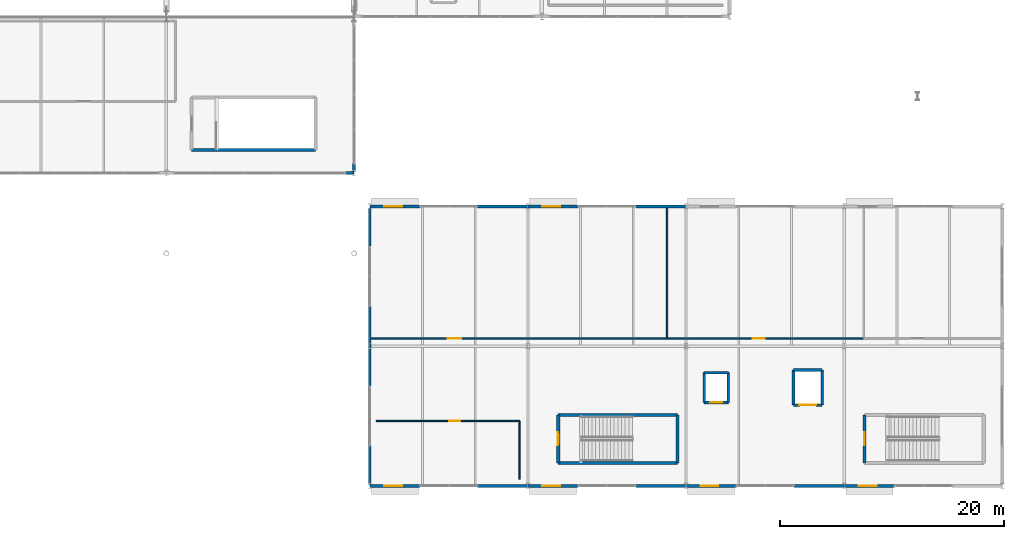
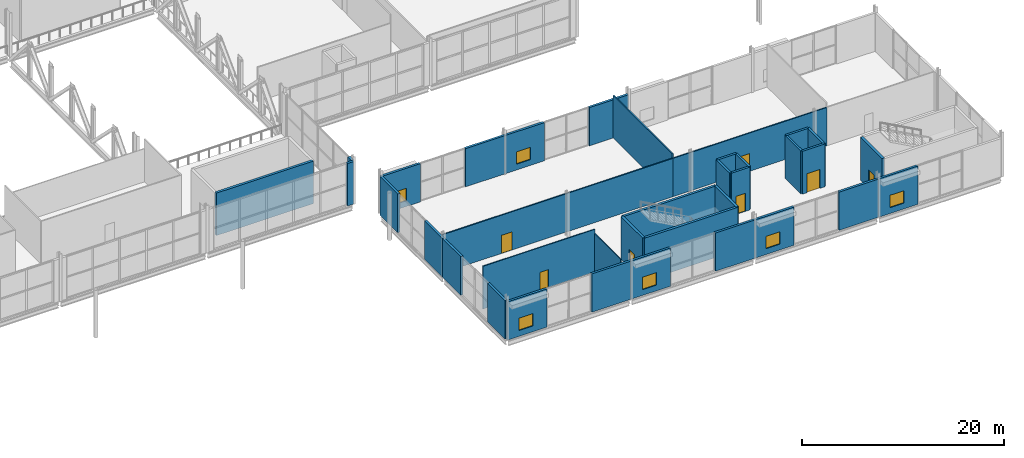
# One storey, part 65 of 84: 36 walls, 7 doors, 6 windows, 13 openings.
"""IFC4 building model written with IfcOpenShell, lengths in metres."""

from ifc_helpers import new_model, si_unit, direction, frame, frame_2d, origin, place, context, subcontext, project, spatial, rectangle, extrude, material, layer, layer_set, type_object, element, fill, save


model = new_model("IFC4")

# Units and contexts
model_context = context("Model", 3, precision=1e-05, world=origin(), true_north=direction((0.0, 1.0)))
body_context = subcontext(model_context, "Body", "Model", "MODEL_VIEW")
ifc_project = project(units=[si_unit("LENGTHUNIT", "METRE"), si_unit("AREAUNIT", "SQUARE_METRE"), si_unit("VOLUMEUNIT", "CUBIC_METRE"), si_unit("PLANEANGLEUNIT", "RADIAN"), si_unit("MASSUNIT", "GRAM", prefix="KILO")], contexts=[model_context])

# Site, building, storey
site_placement = place(None, origin())
site = spatial("IfcSite", under=ifc_project, at=site_placement, CompositionType="ELEMENT")
building_placement = place(site_placement, origin())
building = spatial("IfcBuilding", under=site, at=building_placement, Name="Kimbaza Rail Terminus", CompositionType="ELEMENT")
storey_placement = place(building_placement, frame((0.0, 0.0, 5.39990234375)))
storey = spatial("IfcBuildingStorey", under=building, at=storey_placement, Name="L01", CompositionType="ELEMENT", Elevation=5.39990234375)

# Wall, opening, window
ifc_material_1 = material(Name="Concrete blockwork C30/37", Category="masonry")
ifc_layer_1 = layer(ifc_material_1, 0.260009765625)
ifc_layer_set_1 = layer_set([ifc_layer_1], Name="Concrete blockwork C30/37")
wall_type_1 = type_object("IfcWallType", Name="ARC-WL-EXT260", PredefinedType="STANDARD", material=ifc_layer_set_1)
wall_1_placement = place(storey_placement, frame((157.39990234375, 38.0, 0.0), z_axis=(0.0, 0.0, 1.0), x_axis=(1.0, 0.0, 0.0)))
wall_1 = element("IfcWall", 1, at=wall_1_placement, inside=storey, type_object=wall_type_1, Name="Pavilion N Wall L01.0A", PredefinedType="STANDARD", context=body_context, shape_type="SweptSolid", body=[
    extrude(rectangle(XDim=4.5, YDim=0.260009765625, at=frame_2d((2.25, 0.0))), origin(), (0.0, 0.0, 1.0), 4.625),
])
opening_1_placement = place(wall_1_placement, frame((1.300048828125, 0.0, 0.699951171875)))
opening_1 = element("IfcOpeningElement", 2, at=opening_1_placement, cuts=wall_1, Name="Opening W-18", PredefinedType="OPENING", context=body_context, shape_type="SweptSolid", body=[
    extrude(rectangle(XDim=1.60009765625, YDim=1.5, at=frame_2d((0.800048828125, 0.75))), frame((0.0, 0.139892578125, 0.0), z_axis=(0.0, -1.0, 0.0), x_axis=(1.0, 0.0, 0.0)), (0.0, 0.0, 1.0), 0.280029296875),
])
ifc_material_2 = material(Name="Thermally broken aluminium and solar low-E glass", Category="aluminium")
window_type = type_object("IfcWindowType", Name="ARC-WIN-W-18", PartitioningType="SINGLE_PANEL", PredefinedType="WINDOW", material=ifc_material_2)
window_1_placement = place(opening_1_placement, origin())
window_1 = element("IfcWindow", 3, at=window_1_placement, inside=storey, type_object=window_type, Name="Pavilion Window L01.1", OverallHeight=1.5, OverallWidth=1.60009765625, PartitioningType="SINGLE_PANEL", PredefinedType="WINDOW", context=body_context, shape_type="SweptSolid", body=[
    extrude(rectangle(XDim=1.60009765625, YDim=1.5, at=frame_2d((0.800048828125, 0.75))), frame((0.0, 0.030029296875, 0.0), z_axis=(0.0, -1.0, 0.0), x_axis=(1.0, 0.0, 0.0)), (0.0, 0.0, 1.0), 0.06005859375),
])
fill(opening_1, window_1)

# Wall
wall_2_placement = place(storey_placement, frame((167.050048828125, 38.0, 0.0), z_axis=(0.0, 0.0, 1.0), x_axis=(1.0, 0.0, 0.0)))
element("IfcWall", 4, at=wall_2_placement, inside=storey, type_object=wall_type_1, Name="Pavilion N Wall L01.0B", PredefinedType="STANDARD", context=body_context, shape_type="SweptSolid", body=[
    extrude(rectangle(XDim=4.5, YDim=0.260009765625, at=frame_2d((2.25, 0.0))), origin(), (0.0, 0.0, 1.0), 4.625),
])

# Wall, opening, window
wall_3_placement = place(storey_placement, frame((171.550048828125, 38.0, 0.0), z_axis=(0.0, 0.0, 1.0), x_axis=(1.0, 0.0, 0.0)))
wall_3 = element("IfcWall", 5, at=wall_3_placement, inside=storey, type_object=wall_type_1, Name="Pavilion N Wall L01.1A", PredefinedType="STANDARD", context=body_context, shape_type="SweptSolid", body=[
    extrude(rectangle(XDim=4.5, YDim=0.260009765625, at=frame_2d((2.25, 0.0))), origin(), (0.0, 0.0, 1.0), 4.625),
])
opening_2_placement = place(wall_3_placement, frame((1.300048828125, 0.0, 0.699951171875)))
opening_2 = element("IfcOpeningElement", 6, at=opening_2_placement, cuts=wall_3, Name="Opening W-18", PredefinedType="OPENING", context=body_context, shape_type="SweptSolid", body=[
    extrude(rectangle(XDim=1.60009765625, YDim=1.5, at=frame_2d((0.800048828125, 0.75))), frame((0.0, 0.139892578125, 0.0), z_axis=(0.0, -1.0, 0.0), x_axis=(1.0, 0.0, 0.0)), (0.0, 0.0, 1.0), 0.280029296875),
])
window_2_placement = place(opening_2_placement, origin())
window_2 = element("IfcWindow", 7, at=window_2_placement, inside=storey, type_object=window_type, Name="Pavilion Window L01.2", OverallHeight=1.5, OverallWidth=1.60009765625, PartitioningType="SINGLE_PANEL", PredefinedType="WINDOW", context=body_context, shape_type="SweptSolid", body=[
    extrude(rectangle(XDim=1.60009765625, YDim=1.5, at=frame_2d((0.800048828125, 0.75))), frame((0.0, 0.030029296875, 0.0), z_axis=(0.0, -1.0, 0.0), x_axis=(1.0, 0.0, 0.0)), (0.0, 0.0, 1.0), 0.06005859375),
])
fill(opening_2, window_2)

# Wall
wall_4_placement = place(storey_placement, frame((181.199951171875, 38.0, 0.0), z_axis=(0.0, 0.0, 1.0), x_axis=(1.0, 0.0, 0.0)))
element("IfcWall", 8, at=wall_4_placement, inside=storey, type_object=wall_type_1, Name="Pavilion N Wall L01.1B", PredefinedType="STANDARD", context=body_context, shape_type="SweptSolid", body=[
    extrude(rectangle(XDim=4.5, YDim=0.260009765625, at=frame_2d((2.25, 0.0))), origin(), (0.0, 0.0, 1.0), 4.625),
])

# Wall, opening, window
wall_5_placement = place(storey_placement, frame((157.39990234375, 13.0, 0.0), z_axis=(0.0, 0.0, 1.0), x_axis=(1.0, 0.0, 0.0)))
wall_5 = element("IfcWall", 9, at=wall_5_placement, inside=storey, type_object=wall_type_1, Name="Pavilion S Wall L01.0A", PredefinedType="STANDARD", context=body_context, shape_type="SweptSolid", body=[
    extrude(rectangle(XDim=4.5, YDim=0.260009765625, at=frame_2d((2.25, 0.0))), origin(), (0.0, 0.0, 1.0), 4.625),
])
opening_3_placement = place(wall_5_placement, frame((1.300048828125, 0.0, 0.699951171875)))
opening_3 = element("IfcOpeningElement", 10, at=opening_3_placement, cuts=wall_5, Name="Opening W-18", PredefinedType="OPENING", context=body_context, shape_type="SweptSolid", body=[
    extrude(rectangle(XDim=1.60009765625, YDim=1.5, at=frame_2d((0.800048828125, 0.75))), frame((0.0, 0.139892578125, 0.0), z_axis=(0.0, -1.0, 0.0), x_axis=(1.0, 0.0, 0.0)), (0.0, 0.0, 1.0), 0.280029296875),
])
window_3_placement = place(opening_3_placement, origin())
window_3 = element("IfcWindow", 11, at=window_3_placement, inside=storey, type_object=window_type, Name="Pavilion Window L01.1", OverallHeight=1.5, OverallWidth=1.60009765625, PartitioningType="SINGLE_PANEL", PredefinedType="WINDOW", context=body_context, shape_type="SweptSolid", body=[
    extrude(rectangle(XDim=1.60009765625, YDim=1.5, at=frame_2d((0.800048828125, 0.75))), frame((0.0, 0.030029296875, 0.0), z_axis=(0.0, -1.0, 0.0), x_axis=(1.0, 0.0, 0.0)), (0.0, 0.0, 1.0), 0.06005859375),
])
fill(opening_3, window_3)

# Wall
wall_6_placement = place(storey_placement, frame((167.050048828125, 13.0, 0.0), z_axis=(0.0, 0.0, 1.0), x_axis=(1.0, 0.0, 0.0)))
element("IfcWall", 12, at=wall_6_placement, inside=storey, type_object=wall_type_1, Name="Pavilion S Wall L01.0B", PredefinedType="STANDARD", context=body_context, shape_type="SweptSolid", body=[
    extrude(rectangle(XDim=4.5, YDim=0.260009765625, at=frame_2d((2.25, 0.0))), origin(), (0.0, 0.0, 1.0), 4.625),
])

# Wall, opening, window
wall_7_placement = place(storey_placement, frame((171.550048828125, 13.0, 0.0), z_axis=(0.0, 0.0, 1.0), x_axis=(1.0, 0.0, 0.0)))
wall_7 = element("IfcWall", 13, at=wall_7_placement, inside=storey, type_object=wall_type_1, Name="Pavilion S Wall L01.1A", PredefinedType="STANDARD", context=body_context, shape_type="SweptSolid", body=[
    extrude(rectangle(XDim=4.5, YDim=0.260009765625, at=frame_2d((2.25, 0.0))), origin(), (0.0, 0.0, 1.0), 4.625),
])
opening_4_placement = place(wall_7_placement, frame((1.300048828125, 0.0, 0.699951171875)))
opening_4 = element("IfcOpeningElement", 14, at=opening_4_placement, cuts=wall_7, Name="Opening W-18", PredefinedType="OPENING", context=body_context, shape_type="SweptSolid", body=[
    extrude(rectangle(XDim=1.60009765625, YDim=1.5, at=frame_2d((0.800048828125, 0.75))), frame((0.0, 0.139892578125, 0.0), z_axis=(0.0, -1.0, 0.0), x_axis=(1.0, 0.0, 0.0)), (0.0, 0.0, 1.0), 0.280029296875),
])
window_4_placement = place(opening_4_placement, origin())
window_4 = element("IfcWindow", 15, at=window_4_placement, inside=storey, type_object=window_type, Name="Pavilion Window L01.2", OverallHeight=1.5, OverallWidth=1.60009765625, PartitioningType="SINGLE_PANEL", PredefinedType="WINDOW", context=body_context, shape_type="SweptSolid", body=[
    extrude(rectangle(XDim=1.60009765625, YDim=1.5, at=frame_2d((0.800048828125, 0.75))), frame((0.0, 0.030029296875, 0.0), z_axis=(0.0, -1.0, 0.0), x_axis=(1.0, 0.0, 0.0)), (0.0, 0.0, 1.0), 0.06005859375),
])
fill(opening_4, window_4)

# Wall
wall_8_placement = place(storey_placement, frame((181.199951171875, 13.0, 0.0), z_axis=(0.0, 0.0, 1.0), x_axis=(1.0, 0.0, 0.0)))
element("IfcWall", 16, at=wall_8_placement, inside=storey, type_object=wall_type_1, Name="Pavilion S Wall L01.1B", PredefinedType="STANDARD", context=body_context, shape_type="SweptSolid", body=[
    extrude(rectangle(XDim=4.5, YDim=0.260009765625, at=frame_2d((2.25, 0.0))), origin(), (0.0, 0.0, 1.0), 4.625),
])

# Wall, opening, window
wall_9_placement = place(storey_placement, frame((185.699951171875, 13.0, 0.0), z_axis=(0.0, 0.0, 1.0), x_axis=(1.0, 0.0, 0.0)))
wall_9 = element("IfcWall", 17, at=wall_9_placement, inside=storey, type_object=wall_type_1, Name="Pavilion S Wall L01.2A", PredefinedType="STANDARD", context=body_context, shape_type="SweptSolid", body=[
    extrude(rectangle(XDim=4.5, YDim=0.260009765625, at=frame_2d((2.25, 0.0))), origin(), (0.0, 0.0, 1.0), 4.625),
])
opening_5_placement = place(wall_9_placement, frame((1.300048828125, 0.0, 0.699951171875)))
opening_5 = element("IfcOpeningElement", 18, at=opening_5_placement, cuts=wall_9, Name="Opening W-18", PredefinedType="OPENING", context=body_context, shape_type="SweptSolid", body=[
    extrude(rectangle(XDim=1.60009765625, YDim=1.5, at=frame_2d((0.800048828125, 0.75))), frame((0.0, 0.139892578125, 0.0), z_axis=(0.0, -1.0, 0.0), x_axis=(1.0, 0.0, 0.0)), (0.0, 0.0, 1.0), 0.280029296875),
])
window_5_placement = place(opening_5_placement, origin())
window_5 = element("IfcWindow", 19, at=window_5_placement, inside=storey, type_object=window_type, Name="Pavilion Window L01.3", OverallHeight=1.5, OverallWidth=1.60009765625, PartitioningType="SINGLE_PANEL", PredefinedType="WINDOW", context=body_context, shape_type="SweptSolid", body=[
    extrude(rectangle(XDim=1.60009765625, YDim=1.5, at=frame_2d((0.800048828125, 0.75))), frame((0.0, 0.030029296875, 0.0), z_axis=(0.0, -1.0, 0.0), x_axis=(1.0, 0.0, 0.0)), (0.0, 0.0, 1.0), 0.06005859375),
])
fill(opening_5, window_5)

# Wall
wall_10_placement = place(storey_placement, frame((195.35009765625, 13.0, 0.0), z_axis=(0.0, 0.0, 1.0), x_axis=(1.0, 0.0, 0.0)))
element("IfcWall", 20, at=wall_10_placement, inside=storey, type_object=wall_type_1, Name="Pavilion S Wall L01.2B", PredefinedType="STANDARD", context=body_context, shape_type="SweptSolid", body=[
    extrude(rectangle(XDim=4.5, YDim=0.260009765625, at=frame_2d((2.25, 0.0))), origin(), (0.0, 0.0, 1.0), 4.625),
])

# Wall, opening, window
wall_11_placement = place(storey_placement, frame((199.85009765625, 13.0, 0.0), z_axis=(0.0, 0.0, 1.0), x_axis=(1.0, 0.0, 0.0)))
wall_11 = element("IfcWall", 21, at=wall_11_placement, inside=storey, type_object=wall_type_1, Name="Pavilion S Wall L01.3A", PredefinedType="STANDARD", context=body_context, shape_type="SweptSolid", body=[
    extrude(rectangle(XDim=4.5, YDim=0.260009765625, at=frame_2d((2.25, 0.0))), origin(), (0.0, 0.0, 1.0), 4.625),
])
opening_6_placement = place(wall_11_placement, frame((1.300048828125, 0.0, 0.699951171875)))
opening_6 = element("IfcOpeningElement", 22, at=opening_6_placement, cuts=wall_11, Name="Opening W-18", PredefinedType="OPENING", context=body_context, shape_type="SweptSolid", body=[
    extrude(rectangle(XDim=1.60009765625, YDim=1.5, at=frame_2d((0.800048828125, 0.75))), frame((0.0, 0.139892578125, 0.0), z_axis=(0.0, -1.0, 0.0), x_axis=(1.0, 0.0, 0.0)), (0.0, 0.0, 1.0), 0.280029296875),
])
window_6_placement = place(opening_6_placement, origin())
window_6 = element("IfcWindow", 23, at=window_6_placement, inside=storey, type_object=window_type, Name="Pavilion Window L01.4", OverallHeight=1.5, OverallWidth=1.60009765625, PartitioningType="SINGLE_PANEL", PredefinedType="WINDOW", context=body_context, shape_type="SweptSolid", body=[
    extrude(rectangle(XDim=1.60009765625, YDim=1.5, at=frame_2d((0.800048828125, 0.75))), frame((0.0, 0.030029296875, 0.0), z_axis=(0.0, -1.0, 0.0), x_axis=(1.0, 0.0, 0.0)), (0.0, 0.0, 1.0), 0.06005859375),
])
fill(opening_6, window_6)

# Walls
wall_12_placement = place(storey_placement, frame((157.39990234375, 13.1298828125, 0.0), z_axis=(0.0, 0.0, 1.0), x_axis=(0.0, 1.0, 0.0)))
element("IfcWall", 24, at=wall_12_placement, inside=storey, type_object=wall_type_1, Name="Pavilion W Pier L01.0", PredefinedType="STANDARD", context=body_context, shape_type="SweptSolid", body=[
    extrude(rectangle(XDim=3.47021484375, YDim=0.260009765625, at=frame_2d((1.735107421875, 0.0))), origin(), (0.0, 0.0, 1.0), 4.675048828125),
])
for number, where, z_axis, x_axis, name in (
    (25, (157.39990234375, 21.89990234375, 0.0), (0.0, 0.0, 1.0), (0.0, 1.0, 0.0), "Pavilion W Corner L01.0"),
    (26, (157.39990234375, 25.5, 0.0), (0.0, 0.0, 1.0), (0.0, 1.0, 0.0), "Pavilion W Pier L01.1"),
):
    element("IfcWall", number, at=place(storey_placement, frame(where, z_axis=z_axis, x_axis=x_axis)), inside=storey, type_object=wall_type_1, Name=name, PredefinedType="STANDARD", context=body_context, shape_type="SweptSolid", body=[
        extrude(rectangle(XDim=3.60009765625, YDim=0.260009765625, at=frame_2d((1.800048828125, 0.0))), origin(), (0.0, 0.0, 1.0), 4.675048828125),
    ])
wall_13_placement = place(storey_placement, frame((157.39990234375, 34.39990234375, 0.0), z_axis=(0.0, 0.0, 1.0), x_axis=(0.0, 1.0, 0.0)))
element("IfcWall", 27, at=wall_13_placement, inside=storey, type_object=wall_type_1, Name="Pavilion W Corner L01.1", PredefinedType="STANDARD", context=body_context, shape_type="SweptSolid", body=[
    extrude(rectangle(XDim=3.47021484375, YDim=0.260009765625, at=frame_2d((1.735107421875, 0.0))), origin(), (0.0, 0.0, 1.0), 4.675048828125),
])
ifc_material_3 = material(Name="Precast concrete C40/50", Category="concrete")
ifc_layer_2 = layer(ifc_material_3, 0.280029296875)
ifc_layer_set_2 = layer_set([ifc_layer_2], Name="Precast concrete C40/50")
wall_type_2 = type_object("IfcWallType", Name="ARC-WL-EXT280", PredefinedType="STANDARD", material=ifc_layer_set_2)
wall_14_placement = place(storey_placement, frame((155.280029296875, 41.0, 0.0), z_axis=(0.0, 0.0, 1.0), x_axis=(1.0, 0.0, 0.0)))
element("IfcWall", 28, at=wall_14_placement, inside=storey, type_object=wall_type_2, Name="South Concourse Upper Glazing L01 Bay 6 Corner Pier B", PredefinedType="STANDARD", context=body_context, shape_type="SweptSolid", body=[
    extrude(rectangle(XDim=0.719970703125, YDim=0.280029296875, at=frame_2d((0.35986328125, 0.0))), origin(), (0.0, 0.0, 1.0), 5.14013671875),
])
wall_15_placement = place(storey_placement, frame((156.0, 41.139892578125, 0.0), z_axis=(0.0, 0.0, 1.0), x_axis=(0.0, 1.0, 0.0)))
element("IfcWall", 29, at=wall_15_placement, inside=storey, type_object=wall_type_2, Name="Concourse E Return Curtain Wall L01 Corner Pier A", PredefinedType="STANDARD", context=body_context, shape_type="SweptSolid", body=[
    extrude(rectangle(XDim=0.72021484375, YDim=0.280029296875, at=frame_2d((0.360107421875, 0.0))), origin(), (0.0, 0.0, 1.0), 5.14013671875),
])
ifc_material_4 = material(Name="Demountable acoustic glass wall", Category="glass")
ifc_layer_3 = layer(ifc_material_4, 0.110107421875)
ifc_layer_set_3 = layer_set([ifc_layer_3], Name="Demountable acoustic glass wall")
wall_type_3 = type_object("IfcWallType", Name="ARC-WL-MOV110", PredefinedType="MOVABLE", material=ifc_layer_set_3)
wall_16_placement = place(storey_placement, frame((170.800048828125, 13.60009765625, 0.0), z_axis=(0.0, 0.0, 1.0), x_axis=(0.0, 1.0, 0.0)))
element("IfcWall", 30, at=wall_16_placement, inside=storey, type_object=wall_type_3, Name="Travelers Co-Working Reading Room Partition (east)", PredefinedType="MOVABLE", context=body_context, shape_type="SweptSolid", body=[
    extrude(rectangle(XDim=5.199951171875, YDim=0.110107421875, at=frame_2d((2.60009765625, 0.0))), origin(), (0.0, 0.0, 1.0), 4.675048828125),
])

# Wall, opening, door
wall_17_placement = place(storey_placement, frame((170.800048828125, 18.800048828125, 0.0), z_axis=(0.0, 0.0, 1.0), x_axis=(-1.0, 0.0, 0.0)))
wall_17 = element("IfcWall", 31, at=wall_17_placement, inside=storey, type_object=wall_type_3, Name="Travelers Co-Working Reading Room Partition (north)", PredefinedType="MOVABLE", context=body_context, shape_type="SweptSolid", body=[
    extrude(rectangle(XDim=12.800048828125, YDim=0.110107421875, at=frame_2d((6.39990234375, 0.0))), origin(), (0.0, 0.0, 1.0), 5.16015625),
])
opening_7_placement = place(wall_17_placement, frame((5.324951171875, 0.0, 0.0)))
opening_7 = element("IfcOpeningElement", 32, at=opening_7_placement, cuts=wall_17, Name="Opening ID-06", PredefinedType="OPENING", context=body_context, shape_type="SweptSolid", body=[
    extrude(rectangle(XDim=0.949951171875, YDim=2.14990234375, at=frame_2d((0.47509765625, 1.074951171875))), frame((0.0, 0.06494140625, 0.0), z_axis=(0.0, -1.0, 0.0), x_axis=(1.0, 0.0, 0.0)), (0.0, 0.0, 1.0), 0.130126953125),
])
ifc_material_5 = material(Name="Accessible washroom outward-capable door", Category="wood")
door_type_1 = type_object("IfcDoorType", Name="ARC-DR-ID095", OperationType="NOTDEFINED", PredefinedType="DOOR", material=ifc_material_5)
door_1_placement = place(opening_7_placement, origin())
door_1 = element("IfcDoor", 33, at=door_1_placement, inside=storey, type_object=door_type_1, Name="IDR-SPC-V4-L01-GAL", OperationType="SINGLE_SWING_RIGHT", OverallHeight=2.14990234375, OverallWidth=0.949951171875, PredefinedType="DOOR", context=body_context, shape_type="SweptSolid", body=[
    extrude(rectangle(XDim=0.949951171875, YDim=2.14990234375, at=frame_2d((0.47509765625, 1.074951171875))), frame((0.0, 0.02490234375, 0.0), z_axis=(0.0, -1.0, 0.0), x_axis=(1.0, 0.0, 0.0)), (0.0, 0.0, 1.0), 0.050048828125),
])
fill(opening_7, door_1)

ifc_material_6 = material(Name="Acoustic gypsum stud partition", Category="gypsum")
ifc_layer_4 = layer(ifc_material_6, 0.1298828125)
ifc_layer_set_4 = layer_set([ifc_layer_4], Name="Acoustic gypsum stud partition")
wall_type_4 = type_object("IfcWallType", Name="ARC-WL-PART130", PredefinedType="PARTITIONING", material=ifc_layer_set_4)
wall_18_placement = place(storey_placement, frame((184.0, 26.199951171875, 0.0), z_axis=(0.0, 0.0, 1.0), x_axis=(1.0, 0.0, 0.0)))
wall_18 = element("IfcWall", 34, at=wall_18_placement, inside=storey, type_object=wall_type_4, Name="Brasserie Preparation Kitchen Partition (south)", PredefinedType="PARTITIONING", context=body_context, shape_type="SweptSolid", body=[
    extrude(rectangle(XDim=17.60009765625, YDim=0.1298828125, at=frame_2d((8.800048828125, 0.0))), origin(), (0.0, 0.0, 1.0), 4.625),
])
opening_8_placement = place(wall_18_placement, frame((8.75, 0.0, 0.0), z_axis=(0.0, 0.0, 1.0), x_axis=(-1.0, 0.0, 0.0)))
opening_8 = element("IfcOpeningElement", 35, at=opening_8_placement, cuts=wall_18, Name="Opening ID-04", PredefinedType="OPENING", context=body_context, shape_type="SweptSolid", body=[
    extrude(rectangle(XDim=1.10009765625, YDim=2.14990234375, at=frame_2d((0.550048828125, 1.074951171875))), frame((0.0, 0.074951171875, 0.0), z_axis=(0.0, -1.0, 0.0), x_axis=(1.0, 0.0, 0.0)), (0.0, 0.0, 1.0), 0.14990234375),
])
ifc_material_7 = material(Name="Hardwood veneer acoustic office door", Category="wood")
door_type_2 = type_object("IfcDoorType", Name="ARC-DR-ID110", OperationType="NOTDEFINED", PredefinedType="DOOR", material=ifc_material_7)
door_2_placement = place(opening_8_placement, origin())
door_2 = element("IfcDoor", 36, at=door_2_placement, inside=storey, type_object=door_type_2, Name="IDR-SPC-V4-L01-KIT", OperationType="SINGLE_SWING_RIGHT", OverallHeight=2.14990234375, OverallWidth=1.10009765625, PredefinedType="DOOR", context=body_context, shape_type="SweptSolid", body=[
    extrude(rectangle(XDim=1.10009765625, YDim=2.14990234375, at=frame_2d((0.550048828125, 1.074951171875))), frame((0.0, 0.02490234375, 0.0), z_axis=(0.0, -1.0, 0.0), x_axis=(1.0, 0.0, 0.0)), (0.0, 0.0, 1.0), 0.050048828125),
])
fill(opening_8, door_2)

ifc_material_8 = material(Name="Acoustic gypsum stud partition", Category="gypsum")
ifc_layer_5 = layer(ifc_material_8, 0.139892578125)
ifc_layer_set_5 = layer_set([ifc_layer_5], Name="Acoustic gypsum stud partition")
wall_type_5 = type_object("IfcWallType", Name="ARC-WL-PART140", PredefinedType="PARTITIONING", material=ifc_layer_set_5)
wall_19_placement = place(storey_placement, frame((157.530029296875, 26.199951171875, 0.0), z_axis=(0.0, 0.0, 1.0), x_axis=(1.0, 0.0, 0.0)))
wall_19 = element("IfcWall", 37, at=wall_19_placement, inside=storey, type_object=wall_type_5, Name="Courtyard View Brasserie Dining Partition (south)", PredefinedType="PARTITIONING", context=body_context, shape_type="SweptSolid", body=[
    extrude(rectangle(XDim=26.469970703125, YDim=0.139892578125, at=frame_2d((13.23486328125, 0.0))), origin(), (0.0, 0.0, 1.0), 4.625),
])
opening_9_placement = place(wall_19_placement, frame((6.8701171875, 0.0, 0.0)))
opening_9 = element("IfcOpeningElement", 38, at=opening_9_placement, cuts=wall_19, Name="Opening ID-03", PredefinedType="OPENING", context=body_context, shape_type="SweptSolid", body=[
    extrude(rectangle(XDim=1.199951171875, YDim=2.199951171875, at=frame_2d((0.60009765625, 1.10009765625))), frame((0.0, 0.079833984375, 0.0), z_axis=(0.0, -1.0, 0.0), x_axis=(1.0, 0.0, 0.0)), (0.0, 0.0, 1.0), 0.159912109375),
])
ifc_material_9 = material(Name="Hardwood veneer acoustic room door", Category="wood")
door_type_3 = type_object("IfcDoorType", Name="ARC-DR-ID120", OperationType="NOTDEFINED", PredefinedType="DOOR", material=ifc_material_9)
door_3_placement = place(opening_9_placement, origin())
door_3 = element("IfcDoor", 39, at=door_3_placement, inside=storey, type_object=door_type_3, Name="IDR-SPC-V4-L01-DIN", OperationType="SINGLE_SWING_LEFT", OverallHeight=2.199951171875, OverallWidth=1.199951171875, PredefinedType="DOOR", context=body_context, shape_type="SweptSolid", body=[
    extrude(rectangle(XDim=1.199951171875, YDim=2.199951171875, at=frame_2d((0.60009765625, 1.10009765625))), frame((0.0, 0.02490234375, 0.0), z_axis=(0.0, -1.0, 0.0), x_axis=(1.0, 0.0, 0.0)), (0.0, 0.0, 1.0), 0.050048828125),
])
fill(opening_9, door_3)

# Wall
wall_20_placement = place(storey_placement, frame((184.0, 26.199951171875, 0.0), z_axis=(0.0, 0.0, 1.0), x_axis=(0.0, 1.0, 0.0)))
element("IfcWall", 40, at=wall_20_placement, inside=storey, type_object=wall_type_5, Name="Courtyard View Brasserie Dining Partition (east)", PredefinedType="PARTITIONING", context=body_context, shape_type="SweptSolid", body=[
    extrude(rectangle(XDim=11.670166015625, YDim=0.139892578125, at=frame_2d((5.8349609375, 0.0))), origin(), (0.0, 0.0, 1.0), 5.16015625),
])

# Wall, opening, door
ifc_material_10 = material(Name="Concrete C40/50", Category="concrete")
ifc_layer_6 = layer(ifc_material_10, 0.25)
ifc_layer_set_6 = layer_set([ifc_layer_6], Name="Concrete C40/50")
wall_type_6 = type_object("IfcWallType", Name="STR-WL-CORE250", PredefinedType="SHEAR", material=ifc_layer_set_6)
wall_21_placement = place(storey_placement, frame((187.320068359375, 20.469970703125, 0.0), z_axis=(0.0, 0.0, 1.0), x_axis=(1.0, 0.0, 0.0)))
wall_21 = element("IfcWall", 41, at=wall_21_placement, inside=storey, type_object=wall_type_6, Name="Lift Shaft Wall LP-07 L01-1", PredefinedType="SHEAR", context=body_context, shape_type="SweptSolid", body=[
    extrude(rectangle(XDim=2.159912109375, YDim=0.25, at=frame_2d((1.080078125, 0.0))), origin(), (0.0, 0.0, 1.0), 5.18017578125),
])
opening_10_placement = place(wall_21_placement, frame((0.530029296875, 0.0, 0.0)))
opening_10 = element("IfcOpeningElement", 42, at=opening_10_placement, cuts=wall_21, Name="Opening LD-01", PredefinedType="OPENING", context=body_context, shape_type="SweptSolid", body=[
    extrude(rectangle(XDim=1.10009765625, YDim=2.199951171875, at=frame_2d((0.550048828125, 1.10009765625))), frame((0.0, 0.135009765625, 0.0), z_axis=(0.0, -1.0, 0.0), x_axis=(1.0, 0.0, 0.0)), (0.0, 0.0, 1.0), 0.27001953125),
])
ifc_material_11 = material(Name="Brushed stainless steel sliding landing door", Category="steel")
door_type_4 = type_object("IfcDoorType", Name="ARC-DR-LD110", OperationType="NOTDEFINED", PredefinedType="DOOR", material=ifc_material_11)
door_4_placement = place(opening_10_placement, origin())
door_4 = element("IfcDoor", 43, at=door_4_placement, inside=storey, type_object=door_type_4, Name="LDR-LP-07-L01", OperationType="SLIDING_TO_RIGHT", OverallHeight=2.199951171875, OverallWidth=1.10009765625, PredefinedType="DOOR", context=body_context, shape_type="SweptSolid", body=[
    extrude(rectangle(XDim=1.10009765625, YDim=2.199951171875, at=frame_2d((0.550048828125, 1.10009765625))), frame((0.0, 0.02490234375, 0.0), z_axis=(0.0, -1.0, 0.0), x_axis=(1.0, 0.0, 0.0)), (0.0, 0.0, 1.0), 0.050048828125),
])
fill(opening_10, door_4)

# Walls
wall_22_placement = place(storey_placement, frame((189.47998046875, 20.469970703125, 0.0), z_axis=(0.0, 0.0, 1.0), x_axis=(0.0, 1.0, 0.0)))
element("IfcWall", 44, at=wall_22_placement, inside=storey, type_object=wall_type_6, Name="Lift Shaft Wall LP-07 L01-2", PredefinedType="SHEAR", context=body_context, shape_type="SweptSolid", body=[
    extrude(rectangle(XDim=2.659912109375, YDim=0.25, at=frame_2d((1.330078125, 0.0))), origin(), (0.0, 0.0, 1.0), 5.18017578125),
])
wall_23_placement = place(storey_placement, frame((189.47998046875, 23.1298828125, 0.0), z_axis=(0.0, 0.0, 1.0), x_axis=(-1.0, 0.0, 0.0)))
element("IfcWall", 45, at=wall_23_placement, inside=storey, type_object=wall_type_6, Name="Lift Shaft Wall LP-07 L01-3", PredefinedType="SHEAR", context=body_context, shape_type="SweptSolid", body=[
    extrude(rectangle(XDim=2.159912109375, YDim=0.25, at=frame_2d((1.080078125, 0.0))), origin(), (0.0, 0.0, 1.0), 5.18017578125),
])
wall_24_placement = place(storey_placement, frame((187.320068359375, 23.1298828125, 0.0), z_axis=(0.0, 0.0, 1.0), x_axis=(0.0, -1.0, 0.0)))
element("IfcWall", 46, at=wall_24_placement, inside=storey, type_object=wall_type_6, Name="Lift Shaft Wall LP-07 L01-4", PredefinedType="SHEAR", context=body_context, shape_type="SweptSolid", body=[
    extrude(rectangle(XDim=2.659912109375, YDim=0.25, at=frame_2d((1.330078125, 0.0))), origin(), (0.0, 0.0, 1.0), 5.18017578125),
])

# Wall, opening, door
wall_25_placement = place(storey_placement, frame((195.320068359375, 20.219970703125, 0.0), z_axis=(0.0, 0.0, 1.0), x_axis=(1.0, 0.0, 0.0)))
wall_25 = element("IfcWall", 47, at=wall_25_placement, inside=storey, type_object=wall_type_6, Name="Lift Shaft Wall LG-02 L01-1", PredefinedType="SHEAR", context=body_context, shape_type="SweptSolid", body=[
    extrude(rectangle(XDim=2.559814453125, YDim=0.25, at=frame_2d((1.27978515625, 0.0))), origin(), (0.0, 0.0, 1.0), 5.18017578125),
])
opening_11_placement = place(wall_25_placement, frame((0.530029296875, 0.0, 0.0)))
opening_11 = element("IfcOpeningElement", 48, at=opening_11_placement, cuts=wall_25, Name="Opening LD-03", PredefinedType="OPENING", context=body_context, shape_type="SweptSolid", body=[
    extrude(rectangle(XDim=1.5, YDim=2.300048828125, at=frame_2d((0.75, 1.14990234375))), frame((0.0, 0.135009765625, 0.0), z_axis=(0.0, -1.0, 0.0), x_axis=(1.0, 0.0, 0.0)), (0.0, 0.0, 1.0), 0.27001953125),
])
ifc_material_12 = material(Name="Heavy goods stainless steel landing door", Category="steel")
door_type_5 = type_object("IfcDoorType", Name="ARC-DR-LD150", OperationType="NOTDEFINED", PredefinedType="DOOR", material=ifc_material_12)
door_5_placement = place(opening_11_placement, origin())
door_5 = element("IfcDoor", 49, at=door_5_placement, inside=storey, type_object=door_type_5, Name="LDR-LG-02-L01", OperationType="SLIDING_TO_RIGHT", OverallHeight=2.300048828125, OverallWidth=1.5, PredefinedType="DOOR", context=body_context, shape_type="SweptSolid", body=[
    extrude(rectangle(XDim=1.5, YDim=2.300048828125, at=frame_2d((0.75, 1.14990234375))), frame((0.0, 0.02490234375, 0.0), z_axis=(0.0, -1.0, 0.0), x_axis=(1.0, 0.0, 0.0)), (0.0, 0.0, 1.0), 0.050048828125),
])
fill(opening_11, door_5)

# Walls
wall_26_placement = place(storey_placement, frame((197.8798828125, 20.219970703125, 0.0), z_axis=(0.0, 0.0, 1.0), x_axis=(0.0, 1.0, 0.0)))
element("IfcWall", 50, at=wall_26_placement, inside=storey, type_object=wall_type_6, Name="Lift Shaft Wall LG-02 L01-2", PredefinedType="SHEAR", context=body_context, shape_type="SweptSolid", body=[
    extrude(rectangle(XDim=3.159912109375, YDim=0.25, at=frame_2d((1.580078125, 0.0))), origin(), (0.0, 0.0, 1.0), 5.18017578125),
])
wall_27_placement = place(storey_placement, frame((197.8798828125, 23.3798828125, 0.0), z_axis=(0.0, 0.0, 1.0), x_axis=(-1.0, 0.0, 0.0)))
element("IfcWall", 51, at=wall_27_placement, inside=storey, type_object=wall_type_6, Name="Lift Shaft Wall LG-02 L01-3", PredefinedType="SHEAR", context=body_context, shape_type="SweptSolid", body=[
    extrude(rectangle(XDim=2.559814453125, YDim=0.25, at=frame_2d((1.27978515625, 0.0))), origin(), (0.0, 0.0, 1.0), 5.18017578125),
])
wall_28_placement = place(storey_placement, frame((195.320068359375, 23.3798828125, 0.0), z_axis=(0.0, 0.0, 1.0), x_axis=(0.0, -1.0, 0.0)))
element("IfcWall", 52, at=wall_28_placement, inside=storey, type_object=wall_type_6, Name="Lift Shaft Wall LG-02 L01-4", PredefinedType="SHEAR", context=body_context, shape_type="SweptSolid", body=[
    extrude(rectangle(XDim=3.159912109375, YDim=0.25, at=frame_2d((1.580078125, 0.0))), origin(), (0.0, 0.0, 1.0), 5.18017578125),
])
ifc_material_13 = material(Name="Concrete C40/50", Category="concrete")
ifc_layer_7 = layer(ifc_material_13, 0.280029296875)
ifc_layer_set_7 = layer_set([ifc_layer_7], Name="Concrete C40/50")
wall_type_7 = type_object("IfcWallType", Name="STR-WL-CORE280", PredefinedType="SHEAR", material=ifc_layer_set_7)
wall_29_placement = place(storey_placement, frame((141.4599609375, 43.06005859375, 0.0), z_axis=(0.0, 0.0, 1.0), x_axis=(1.0, 0.0, 0.0)))
element("IfcWall", 53, at=wall_29_placement, inside=storey, type_object=wall_type_7, Name="South Metro Concourse East Stair Shaft Wall L01-1", PredefinedType="SHEAR", context=body_context, shape_type="SweptSolid", body=[
    extrude(rectangle(XDim=11.080078125, YDim=0.280029296875, at=frame_2d((5.5400390625, 0.0))), origin(), (0.0, 0.0, 1.0), 5.14013671875),
])
wall_30_placement = place(storey_placement, frame((174.260009765625, 15.06005859375, 0.0), z_axis=(0.0, 0.0, 1.0), x_axis=(1.0, 0.0, 0.0)))
element("IfcWall", 54, at=wall_30_placement, inside=storey, type_object=wall_type_7, Name="Retail Pavilion West Stair Shaft Wall L01-1", PredefinedType="SHEAR", context=body_context, shape_type="SweptSolid", body=[
    extrude(rectangle(XDim=10.679931640625, YDim=0.280029296875, at=frame_2d((5.33984375, 0.0))), origin(), (0.0, 0.0, 1.0), 5.18017578125),
])
wall_31_placement = place(storey_placement, frame((184.93994140625, 15.06005859375, 0.0), z_axis=(0.0, 0.0, 1.0), x_axis=(0.0, 1.0, 0.0)))
element("IfcWall", 55, at=wall_31_placement, inside=storey, type_object=wall_type_7, Name="Retail Pavilion West Stair Shaft Wall L01-2", PredefinedType="SHEAR", context=body_context, shape_type="SweptSolid", body=[
    extrude(rectangle(XDim=4.280029296875, YDim=0.280029296875, at=frame_2d((2.14013671875, 0.0))), origin(), (0.0, 0.0, 1.0), 5.18017578125),
])
wall_32_placement = place(storey_placement, frame((184.93994140625, 19.340087890625, 0.0), z_axis=(0.0, 0.0, 1.0), x_axis=(-1.0, 0.0, 0.0)))
element("IfcWall", 56, at=wall_32_placement, inside=storey, type_object=wall_type_7, Name="Retail Pavilion West Stair Shaft Wall L01-3", PredefinedType="SHEAR", context=body_context, shape_type="SweptSolid", body=[
    extrude(rectangle(XDim=10.679931640625, YDim=0.280029296875, at=frame_2d((5.33984375, 0.0))), origin(), (0.0, 0.0, 1.0), 5.18017578125),
])

# Wall, opening, door
wall_33_placement = place(storey_placement, frame((174.260009765625, 19.340087890625, 0.0), z_axis=(0.0, 0.0, 1.0), x_axis=(0.0, -1.0, 0.0)))
wall_33 = element("IfcWall", 57, at=wall_33_placement, inside=storey, type_object=wall_type_7, Name="Retail Pavilion West Stair Shaft Wall L01-4", PredefinedType="SHEAR", context=body_context, shape_type="SweptSolid", body=[
    extrude(rectangle(XDim=4.280029296875, YDim=0.280029296875, at=frame_2d((2.14013671875, 0.0))), origin(), (0.0, 0.0, 1.0), 5.18017578125),
])
opening_12_placement = place(wall_33_placement, frame((1.56494140625, 0.0, 0.0)))
opening_12 = element("IfcOpeningElement", 58, at=opening_12_placement, cuts=wall_33, Name="Opening FD-03", PredefinedType="OPENING", context=body_context, shape_type="SweptSolid", body=[
    extrude(rectangle(XDim=1.14990234375, YDim=2.199951171875, at=frame_2d((0.574951171875, 1.10009765625))), frame((0.0, 0.14990234375, 0.0), z_axis=(0.0, -1.0, 0.0), x_axis=(1.0, 0.0, 0.0)), (0.0, 0.0, 1.0), 0.300048828125),
])
ifc_material_14 = material(Name="Firefighting lobby self-closing steel door", Category="steel")
door_type_6 = type_object("IfcDoorType", Name="ARC-DR-FD115", OperationType="NOTDEFINED", PredefinedType="DOOR", material=ifc_material_14)
door_6_placement = place(opening_12_placement, origin())
door_6 = element("IfcDoor", 59, at=door_6_placement, inside=storey, type_object=door_type_6, Name="SDR-ST-P1-L01", OperationType="SINGLE_SWING_RIGHT", OverallHeight=2.199951171875, OverallWidth=1.14990234375, PredefinedType="DOOR", context=body_context, shape_type="SweptSolid", body=[
    extrude(rectangle(XDim=1.14990234375, YDim=2.199951171875, at=frame_2d((0.574951171875, 1.10009765625))), frame((0.0, 0.02490234375, 0.0), z_axis=(0.0, -1.0, 0.0), x_axis=(1.0, 0.0, 0.0)), (0.0, 0.0, 1.0), 0.050048828125),
])
fill(opening_12, door_6)

wall_34_placement = place(storey_placement, frame((201.659912109375, 19.340087890625, 0.0), z_axis=(0.0, 0.0, 1.0), x_axis=(0.0, -1.0, 0.0)))
wall_34 = element("IfcWall", 60, at=wall_34_placement, inside=storey, type_object=wall_type_7, Name="Retail Pavilion East Stair Shaft Wall L01-4", PredefinedType="SHEAR", context=body_context, shape_type="SweptSolid", body=[
    extrude(rectangle(XDim=4.280029296875, YDim=0.280029296875, at=frame_2d((2.14013671875, 0.0))), origin(), (0.0, 0.0, 1.0), 5.18017578125),
])
opening_13_placement = place(wall_34_placement, frame((1.56494140625, 0.0, 0.0)))
opening_13 = element("IfcOpeningElement", 61, at=opening_13_placement, cuts=wall_34, Name="Opening FD-03", PredefinedType="OPENING", context=body_context, shape_type="SweptSolid", body=[
    extrude(rectangle(XDim=1.14990234375, YDim=2.199951171875, at=frame_2d((0.574951171875, 1.10009765625))), frame((0.0, 0.14990234375, 0.0), z_axis=(0.0, -1.0, 0.0), x_axis=(1.0, 0.0, 0.0)), (0.0, 0.0, 1.0), 0.300048828125),
])
door_7_placement = place(opening_13_placement, origin())
door_7 = element("IfcDoor", 62, at=door_7_placement, inside=storey, type_object=door_type_6, Name="SDR-ST-P2-L01", OperationType="SINGLE_SWING_LEFT", OverallHeight=2.199951171875, OverallWidth=1.14990234375, PredefinedType="DOOR", context=body_context, shape_type="SweptSolid", body=[
    extrude(rectangle(XDim=1.14990234375, YDim=2.199951171875, at=frame_2d((0.574951171875, 1.10009765625))), frame((0.0, 0.02490234375, 0.0), z_axis=(0.0, -1.0, 0.0), x_axis=(1.0, 0.0, 0.0)), (0.0, 0.0, 1.0), 0.050048828125),
])
fill(opening_13, door_7)

save(model, "model.ifc")
